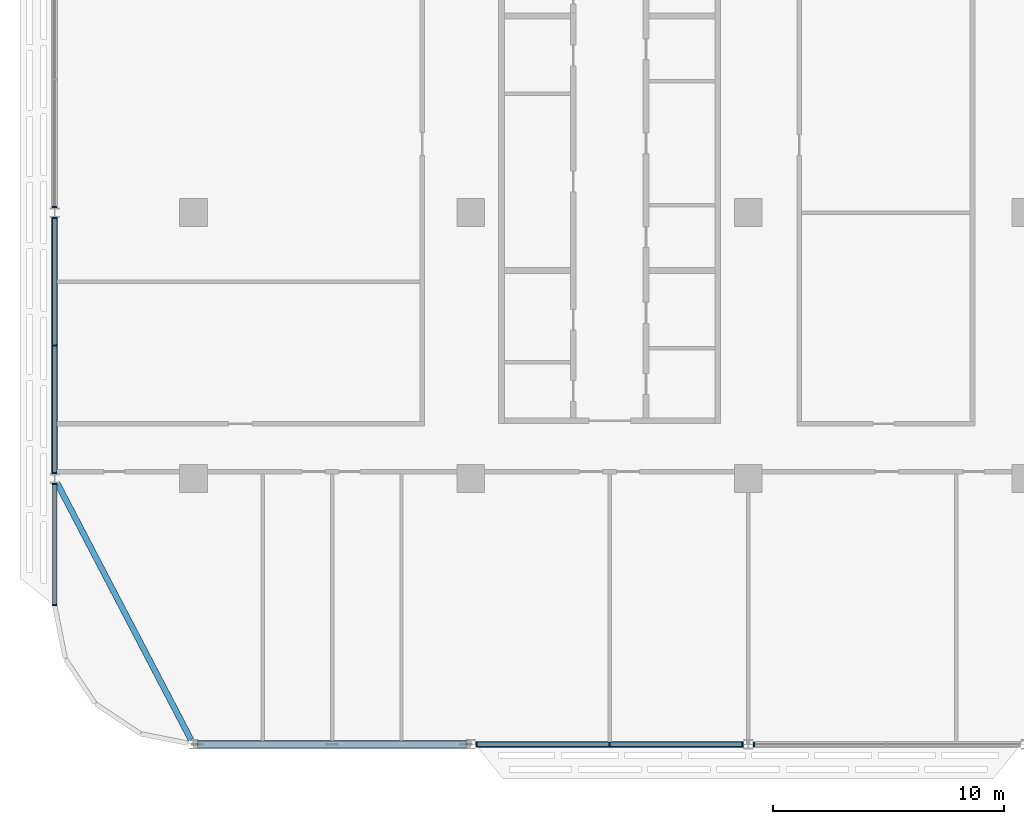
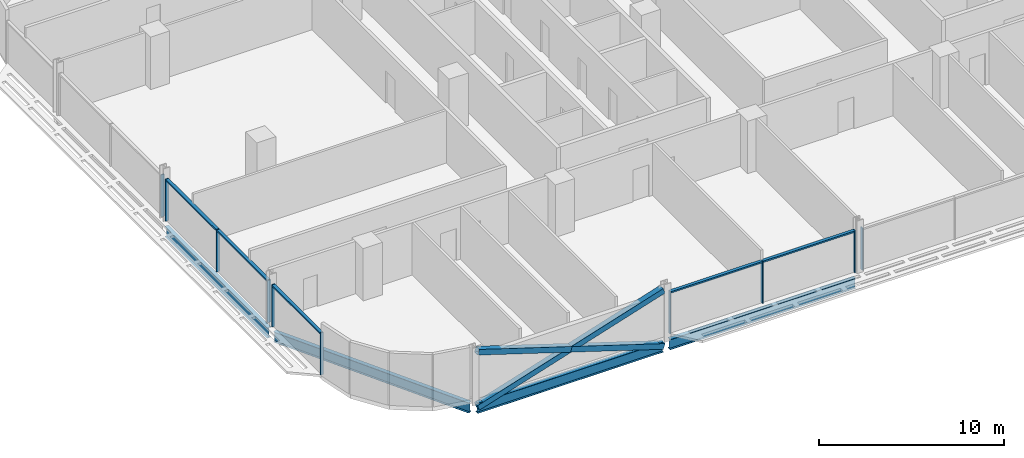
# One storey, part 3 of 27: 18 members, 4 beams, 5 elements without a shape of their own.
"""IFC4 building model written with IfcOpenShell, lengths in metres."""

from ifc_helpers import new_model, si_unit, direction, frame, origin, origin_2d, place, context, subcontext, project, spatial, rectangle, hollow_rectangle, i_section, extrude, material, material_profile, profile_set, type_object, element, aggregate, save


model = new_model("IFC4")

# Units and contexts
model_context = context("Model", 3, precision=1e-05, world=origin(), true_north=direction((0.0, 1.0)))
body_context = subcontext(model_context, "Body", "Model", "MODEL_VIEW")
ifc_project = project(units=[si_unit("LENGTHUNIT", "METRE"), si_unit("AREAUNIT", "SQUARE_METRE"), si_unit("VOLUMEUNIT", "CUBIC_METRE"), si_unit("PLANEANGLEUNIT", "RADIAN"), si_unit("MASSUNIT", "GRAM", prefix="KILO")], contexts=[model_context])

# Site, building, storey
site_placement = place(None, origin())
site = spatial("IfcSite", under=ifc_project, at=site_placement, CompositionType="ELEMENT")
building_placement = place(site_placement, origin())
building = spatial("IfcBuilding", under=site, at=building_placement, Name="Mahtab Terrace Research Tower", CompositionType="ELEMENT")
storey_placement = place(building_placement, frame((0.0, 0.0, 182.0)))
storey = spatial("IfcBuildingStorey", under=building, at=storey_placement, Name="L43", CompositionType="ELEMENT", Elevation=182.0)

# Members
ifc_material_1 = material(Name="Steel ASTM A500 Gr C", Category="steel")
ifc_material_profile_1 = material_profile(ifc_material_1, hollow_rectangle(XDim=0.355712890625, YDim=0.355712890625, WallThickness=0.015869140625, at=origin_2d()), Name="HSS14X14X5/8")
ifc_profile_set_1 = profile_set([ifc_material_profile_1], Name="Steel ASTM A500 Gr C")
member_type_1 = type_object("IfcMemberType", Name="HSS 14x14x5/8 brace XB141458", PredefinedType="BRACE", material=ifc_profile_set_1)
member_1_placement = place(storey_placement, frame((-41.796875, -23.0, -0.61474609375), z_axis=(0.953341454971, 0.0, 0.301894137463), x_axis=(0.0, 1.0, 0.0)))
element("IfcMember", 1, at=member_1_placement, inside=storey, type_object=member_type_1, Name="Exoskeleton brace L43 12 a", PredefinedType="BRACE", context=body_context, shape_type="SweptSolid", body=[
    extrude(hollow_rectangle(XDim=0.355712890625, YDim=0.355712890625, WallThickness=0.015869140625, at=origin_2d()), origin(), (0.0, 0.0, 1.0), 12.1611328125),
])
for number, where, z_axis, x_axis, name in (
    (2, (-30.203125, -23.0, -0.61474609375), (-0.953341454971, 0.0, 0.301894137463), (0.0, -1.0, 0.0), "Exoskeleton brace L43 12 b1"),
    (3, (-36.0, -23.0, 1.220947265625), (-0.953341454971, 0.0, 0.301894137463), (0.0, -1.0, 0.0), "Exoskeleton brace L43 12 b2"),
):
    element("IfcMember", number, at=place(storey_placement, frame(where, z_axis=z_axis, x_axis=x_axis)), inside=storey, type_object=member_type_1, Name=name, PredefinedType="BRACE", context=body_context, shape_type="SweptSolid", body=[
        extrude(hollow_rectangle(XDim=0.355712890625, YDim=0.355712890625, WallThickness=0.015869140625, at=origin_2d()), origin(), (0.0, 0.0, 1.0), 6.08056640625),
    ])

# Curtain wall, member
ifc_material_2 = material(Name="Laboratory ribbon curtain wall")
curtain_wall_type = type_object("IfcCurtainWallType", Name="Laboratory ribbon curtain wall", PredefinedType="NOTDEFINED", material=ifc_material_2)
curtain_wall_1_placement = place(storey_placement, origin())
curtain_wall_1 = element("IfcCurtainWall", 4, at=curtain_wall_1_placement, inside=storey, type_object=curtain_wall_type, Name="EN.L43.8.16", PredefinedType="NOTDEFINED")
ifc_material_3 = material(Name="Natural anodised aluminium", Category="aluminium")
ifc_material_profile_2 = material_profile(ifc_material_3, rectangle(XDim=0.199951171875, YDim=0.06494140625, at=origin_2d()), Name="MULLION 65x200")
ifc_profile_set_2 = profile_set([ifc_material_profile_2], Name="Natural anodised aluminium")
member_type_2 = type_object("IfcMemberType", Name="Laboratory ribbon curtain wall mullion", PredefinedType="MULLION", material=ifc_profile_set_2)
member_2_placement = place(storey_placement, frame((-48.0, 0.240478515625, 0.0), z_axis=(0.0, 0.0, 1.0), x_axis=(1.0, 0.0, 0.0)))
member_2 = element("IfcMember", 5, at=member_2_placement, type_object=member_type_2, Name="CWL-5 mullion 3", PredefinedType="MULLION", context=body_context, shape_type="SweptSolid", body=[
    extrude(rectangle(XDim=0.199951171875, YDim=0.06494140625, at=origin_2d()), origin(), (0.0, 0.0, 1.0), 2.78173828125),
])
aggregate(curtain_wall_1, [member_2])

# Curtain wall, members
curtain_wall_2_placement = place(storey_placement, origin())
curtain_wall_2 = element("IfcCurtainWall", 6, at=curtain_wall_2_placement, inside=storey, type_object=curtain_wall_type, Name="EN.L43.8.17", PredefinedType="NOTDEFINED")
member_3_placement = place(storey_placement, frame((-48.0, -0.240478515625, 0.0), z_axis=(0.0, 0.0, 1.0), x_axis=(1.0, 0.0, 0.0)))
member_3 = element("IfcMember", 7, at=member_3_placement, type_object=member_type_2, Name="CWL-5 mullion 1", PredefinedType="MULLION", context=body_context, shape_type="SweptSolid", body=[
    extrude(rectangle(XDim=0.199951171875, YDim=0.06494140625, at=origin_2d()), origin(), (0.0, 0.0, 1.0), 2.78173828125),
])
member_4_placement = place(storey_placement, frame((-48.0, -5.75, 0.0), z_axis=(0.0, 0.0, 1.0), x_axis=(1.0, 0.0, 0.0)))
member_4 = element("IfcMember", 8, at=member_4_placement, type_object=member_type_2, Name="CWL-5 mullion 2", PredefinedType="MULLION", context=body_context, shape_type="SweptSolid", body=[
    extrude(rectangle(XDim=0.199951171875, YDim=0.06494140625, at=origin_2d()), origin(), (0.0, 0.0, 1.0), 2.78173828125),
])
member_5_placement = place(storey_placement, frame((-48.0, -11.259521484375, 0.0), z_axis=(0.0, 0.0, 1.0), x_axis=(1.0, 0.0, 0.0)))
member_5 = element("IfcMember", 9, at=member_5_placement, type_object=member_type_2, Name="CWL-5 mullion 3", PredefinedType="MULLION", context=body_context, shape_type="SweptSolid", body=[
    extrude(rectangle(XDim=0.199951171875, YDim=0.06494140625, at=origin_2d()), origin(), (0.0, 0.0, 1.0), 2.78173828125),
])

curtain_wall_3_placement = place(storey_placement, origin())
curtain_wall_3 = element("IfcCurtainWall", 10, at=curtain_wall_3_placement, inside=storey, type_object=curtain_wall_type, Name="EN.L43.8.18", PredefinedType="NOTDEFINED")
member_6_placement = place(storey_placement, frame((-48.0, -11.740478515625, 0.0), z_axis=(0.0, 0.0, 1.0), x_axis=(1.0, 0.0, 0.0)))
member_6 = element("IfcMember", 11, at=member_6_placement, type_object=member_type_2, Name="CWL-5 mullion 1", PredefinedType="MULLION", context=body_context, shape_type="SweptSolid", body=[
    extrude(rectangle(XDim=0.199951171875, YDim=0.06494140625, at=origin_2d()), origin(), (0.0, 0.0, 1.0), 2.78173828125),
])
member_7_placement = place(storey_placement, frame((-48.0, -16.967529296875, 0.0), z_axis=(0.0, 0.0, 1.0), x_axis=(1.0, 0.0, 0.0)))
member_7 = element("IfcMember", 12, at=member_7_placement, type_object=member_type_2, Name="CWL-5 mullion 2", PredefinedType="MULLION", context=body_context, shape_type="SweptSolid", body=[
    extrude(rectangle(XDim=0.199951171875, YDim=0.06494140625, at=origin_2d()), origin(), (0.0, 0.0, 1.0), 2.78173828125),
])

curtain_wall_4_placement = place(storey_placement, origin())
curtain_wall_4 = element("IfcCurtainWall", 13, at=curtain_wall_4_placement, inside=storey, type_object=curtain_wall_type, Name="EN.L43.13.24", PredefinedType="NOTDEFINED")
member_8_placement = place(storey_placement, frame((-29.759521484375, -23.0, 0.0), z_axis=(0.0, 0.0, 1.0), x_axis=(0.0, 1.0, 0.0)))
member_8 = element("IfcMember", 14, at=member_8_placement, type_object=member_type_2, Name="CWL-5 mullion 1", PredefinedType="MULLION", context=body_context, shape_type="SweptSolid", body=[
    extrude(rectangle(XDim=0.199951171875, YDim=0.06494140625, at=origin_2d()), origin(), (0.0, 0.0, 1.0), 2.78173828125),
])
member_9_placement = place(storey_placement, frame((-24.0, -23.0, 0.0), z_axis=(0.0, 0.0, 1.0), x_axis=(0.0, 1.0, 0.0)))
member_9 = element("IfcMember", 15, at=member_9_placement, type_object=member_type_2, Name="CWL-5 mullion 2", PredefinedType="MULLION", context=body_context, shape_type="SweptSolid", body=[
    extrude(rectangle(XDim=0.199951171875, YDim=0.06494140625, at=origin_2d()), origin(), (0.0, 0.0, 1.0), 2.78173828125),
])
member_10_placement = place(storey_placement, frame((-18.240478515625, -23.0, 0.0), z_axis=(0.0, 0.0, 1.0), x_axis=(0.0, 1.0, 0.0)))
member_10 = element("IfcMember", 16, at=member_10_placement, type_object=member_type_2, Name="CWL-5 mullion 3", PredefinedType="MULLION", context=body_context, shape_type="SweptSolid", body=[
    extrude(rectangle(XDim=0.199951171875, YDim=0.06494140625, at=origin_2d()), origin(), (0.0, 0.0, 1.0), 2.78173828125),
])

# Curtain wall, member
curtain_wall_5_placement = place(storey_placement, origin())
curtain_wall_5 = element("IfcCurtainWall", 17, at=curtain_wall_5_placement, inside=storey, type_object=curtain_wall_type, Name="EN.L43.13.25", PredefinedType="NOTDEFINED")
member_11_placement = place(storey_placement, frame((-17.759521484375, -23.0, 0.0), z_axis=(0.0, 0.0, 1.0), x_axis=(0.0, 1.0, 0.0)))
member_11 = element("IfcMember", 18, at=member_11_placement, type_object=member_type_2, Name="CWL-5 mullion 1", PredefinedType="MULLION", context=body_context, shape_type="SweptSolid", body=[
    extrude(rectangle(XDim=0.199951171875, YDim=0.06494140625, at=origin_2d()), origin(), (0.0, 0.0, 1.0), 2.78173828125),
])
aggregate(curtain_wall_5, [member_11])

# Member
ifc_material_profile_3 = material_profile(ifc_material_3, rectangle(XDim=0.199951171875, YDim=0.10009765625, at=origin_2d()), Name="TRANSOM 100x200")
ifc_profile_set_3 = profile_set([ifc_material_profile_3], Name="Natural anodised aluminium")
member_type_3 = type_object("IfcMemberType", Name="Laboratory ribbon curtain wall transom", PredefinedType="USERDEFINED", material=ifc_profile_set_3)
member_12_placement = place(storey_placement, frame((-48.0, -0.27294921875, 2.731689453125), z_axis=(0.0, -1.0, 0.0), x_axis=(1.0, 0.0, 0.0)))
member_12 = element("IfcMember", 19, at=member_12_placement, type_object=member_type_3, Name="CWL-5 transom 1", ObjectType="TRANSOM", PredefinedType="USERDEFINED", context=body_context, shape_type="SweptSolid", body=[
    extrude(rectangle(XDim=0.199951171875, YDim=0.10009765625, at=origin_2d()), origin(), (0.0, 0.0, 1.0), 5.444580078125),
])

member_13_placement = place(storey_placement, frame((-48.0, -5.782470703125, 2.731689453125), z_axis=(0.0, -1.0, 0.0), x_axis=(1.0, 0.0, 0.0)))
member_13 = element("IfcMember", 20, at=member_13_placement, type_object=member_type_3, Name="CWL-5 transom 2", ObjectType="TRANSOM", PredefinedType="USERDEFINED", context=body_context, shape_type="SweptSolid", body=[
    extrude(rectangle(XDim=0.199951171875, YDim=0.10009765625, at=origin_2d()), origin(), (0.0, 0.0, 1.0), 5.444580078125),
])

aggregate(curtain_wall_2, [member_3, member_4, member_5, member_12, member_13])

member_14_placement = place(storey_placement, frame((-48.0, -11.77294921875, 2.731689453125), z_axis=(0.0, -1.0, 0.0), x_axis=(1.0, 0.0, 0.0)))
member_14 = element("IfcMember", 21, at=member_14_placement, type_object=member_type_3, Name="CWL-5 transom 1", ObjectType="TRANSOM", PredefinedType="USERDEFINED", context=body_context, shape_type="SweptSolid", body=[
    extrude(rectangle(XDim=0.199951171875, YDim=0.10009765625, at=origin_2d()), origin(), (0.0, 0.0, 1.0), 5.162109375),
])

aggregate(curtain_wall_3, [member_6, member_7, member_14])

member_15_placement = place(storey_placement, frame((-29.72705078125, -23.0, 2.731689453125), z_axis=(1.0, 0.0, 0.0), x_axis=(0.0, 1.0, 0.0)))
member_15 = element("IfcMember", 22, at=member_15_placement, type_object=member_type_3, Name="CWL-5 transom 1", ObjectType="TRANSOM", PredefinedType="USERDEFINED", context=body_context, shape_type="SweptSolid", body=[
    extrude(rectangle(XDim=0.199951171875, YDim=0.10009765625, at=origin_2d()), origin(), (0.0, 0.0, 1.0), 5.694580078125),
])

member_16_placement = place(storey_placement, frame((-23.967529296875, -23.0, 2.731689453125), z_axis=(1.0, 0.0, 0.0), x_axis=(0.0, 1.0, 0.0)))
member_16 = element("IfcMember", 23, at=member_16_placement, type_object=member_type_3, Name="CWL-5 transom 2", ObjectType="TRANSOM", PredefinedType="USERDEFINED", context=body_context, shape_type="SweptSolid", body=[
    extrude(rectangle(XDim=0.199951171875, YDim=0.10009765625, at=origin_2d()), origin(), (0.0, 0.0, 1.0), 5.694580078125),
])

aggregate(curtain_wall_4, [member_8, member_9, member_10, member_15, member_16])

# Beams
ifc_material_4 = material(Name="Steel ASTM A992 Gr 50", Category="steel")
ifc_material_profile_4 = material_profile(ifc_material_4, i_section(OverallWidth=0.25390625, OverallDepth=0.67822265625, WebThickness=0.01171875, FlangeThickness=0.016357421875, at=origin_2d()), Name="W27X84")
ifc_profile_set_4 = profile_set([ifc_material_profile_4], Name="Steel ASTM A992 Gr 50")
beam_type = type_object("IfcBeamType", Name="W27x84 beam BS2784", PredefinedType="BEAM", material=ifc_profile_set_4)
beam_1_placement = place(storey_placement, frame((-48.0, -0.208251953125, -0.67919921875), z_axis=(0.0, -1.0, 0.0), x_axis=(1.0, 0.0, 0.0)))
element("IfcBeam", 24, at=beam_1_placement, inside=storey, type_object=beam_type, Name="Spandrel beam L43 10", PredefinedType="BEAM", context=body_context, shape_type="SweptSolid", body=[
    extrude(i_section(OverallWidth=0.25390625, OverallDepth=0.67822265625, WebThickness=0.01171875, FlangeThickness=0.016357421875, at=origin_2d()), origin(), (0.0, 0.0, 1.0), 11.08349609375),
])
beam_2_placement = place(storey_placement, frame((-47.891357421875, -11.708251953125, -0.67919921875), z_axis=(0.462567341525, -0.886584149731, 0.0), x_axis=(0.886584149731, 0.462567341525, 0.0)))
element("IfcBeam", 25, at=beam_2_placement, inside=storey, type_object=beam_type, Name="Spandrel beam L43 11", PredefinedType="BEAM", context=body_context, shape_type="SweptSolid", body=[
    extrude(i_section(OverallWidth=0.25390625, OverallDepth=0.67822265625, WebThickness=0.01171875, FlangeThickness=0.016357421875, at=origin_2d()), origin(), (0.0, 0.0, 1.0), 12.50146484375),
])
for number, where, z_axis, x_axis, name in (
    (26, (-41.796875, -23.0, -0.67919921875), (1.0, 0.0, 0.0), (0.0, 1.0, 0.0), "Spandrel beam L43 12"),
    (27, (-29.796875, -23.0, -0.67919921875), (1.0, 0.0, 0.0), (0.0, 1.0, 0.0), "Spandrel beam L43 13"),
):
    element("IfcBeam", number, at=place(storey_placement, frame(where, z_axis=z_axis, x_axis=x_axis)), inside=storey, type_object=beam_type, Name=name, PredefinedType="BEAM", context=body_context, shape_type="SweptSolid", body=[
        extrude(i_section(OverallWidth=0.25390625, OverallDepth=0.67822265625, WebThickness=0.01171875, FlangeThickness=0.016357421875, at=origin_2d()), origin(), (0.0, 0.0, 1.0), 11.59375),
    ])

save(model, "model.ifc")
